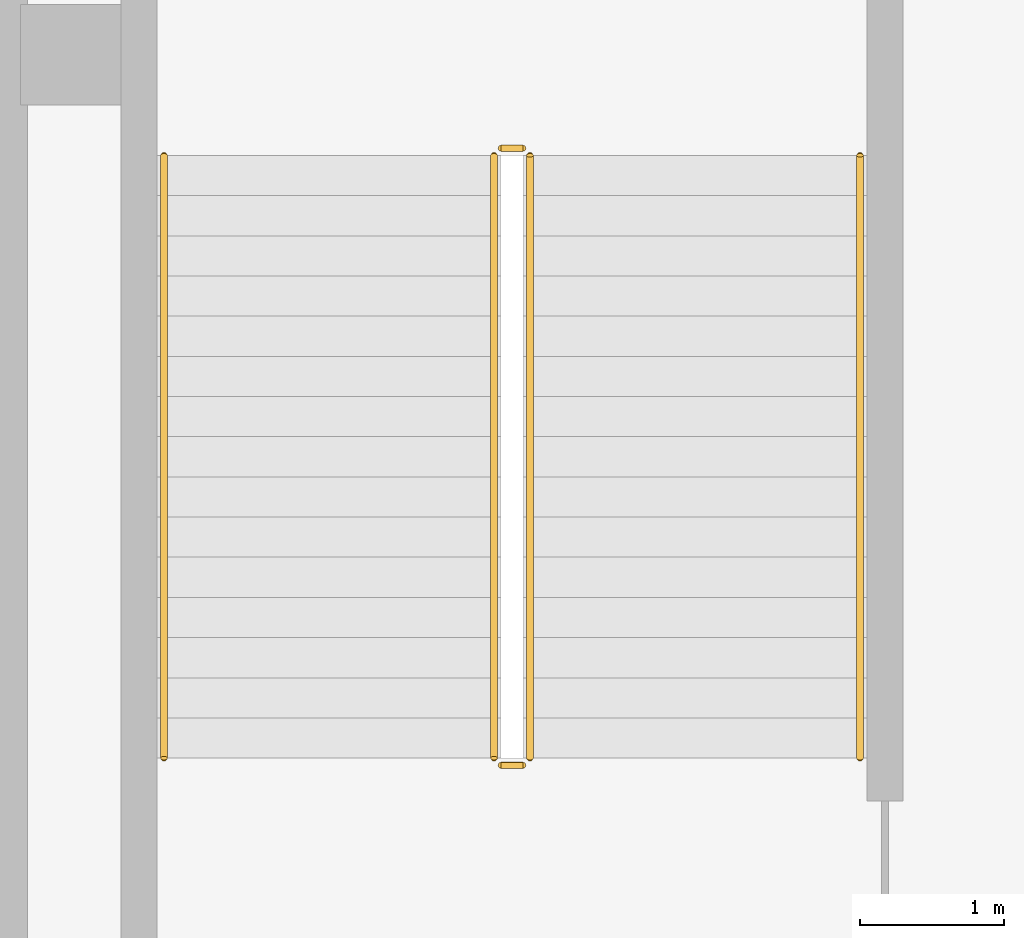
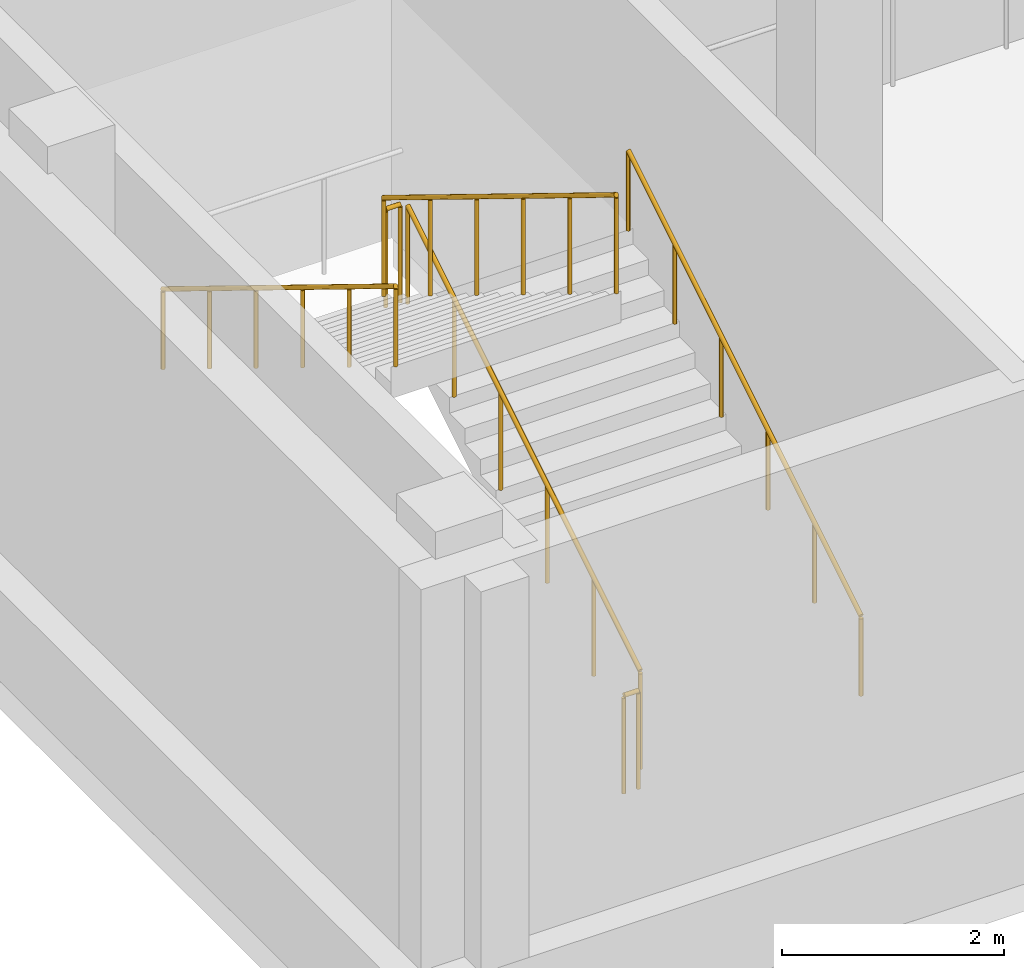
# One storey, part 30 of 35: 6 railings.
"""IFC4 building model written with IfcOpenShell, lengths in metres."""

from ifc_helpers import new_model, si_unit, direction, frame, origin, origin_2d, place, context, subcontext, project, spatial, circle, extrude, material, type_object, element, save


model = new_model("IFC4")

# Units and contexts
model_context = context("Model", 3, precision=1e-05, world=origin(), true_north=direction((0.0, 1.0)))
body_context = subcontext(model_context, "Body", "Model", "MODEL_VIEW")
ifc_project = project(units=[si_unit("LENGTHUNIT", "METRE"), si_unit("AREAUNIT", "SQUARE_METRE"), si_unit("VOLUMEUNIT", "CUBIC_METRE"), si_unit("PLANEANGLEUNIT", "RADIAN"), si_unit("MASSUNIT", "GRAM", prefix="KILO")], contexts=[model_context])

# Site, building, storey
site_placement = place(None, origin())
site = spatial("IfcSite", under=ifc_project, at=site_placement, CompositionType="ELEMENT")
building_placement = place(site_placement, origin())
building = spatial("IfcBuilding", under=site, at=building_placement, Name="Tamorin Gate", CompositionType="ELEMENT")
storey_placement = place(building_placement, frame((0.0, 0.0, 8.0)))
storey = spatial("IfcBuildingStorey", under=building, at=storey_placement, Name="L01", CompositionType="ELEMENT", Elevation=8.0)

# Railings
ifc_material = material(Name="Steel, galvanised", Category="steel")
railing_type_1 = type_object("IfcRailingType", Name="Steel guard 1100 museum", PredefinedType="GUARDRAIL", material=ifc_material)
railing_1_placement = place(storey_placement, frame((148.89990234375, 57.800048828125, 0.171875)))
element("IfcRailing", 1, at=railing_1_placement, inside=storey, type_object=railing_type_1, Name="L01 PS8 stair guard 1", PredefinedType="GUARDRAIL", context=body_context, shape_type="SweptSolid", body=[
    extrude(circle(Radius=0.02392578125, at=origin_2d()), frame((0.0, 0.0, 1.076171875), z_axis=(0.0, 0.852242915053, 0.523146264196), x_axis=(-1.0, 0.0, 0.0)), (0.0, 0.0, 1.0), 4.92822265625),
    extrude(circle(Radius=0.02099609375, at=origin_2d()), origin(), (0.0, 0.0, 1.0), 1.052001953125),
    extrude(circle(Radius=0.02099609375, at=origin_2d()), frame((0.0, 0.840087890625, 0.515625)), (0.0, 0.0, 1.0), 1.052001953125),
    extrude(circle(Radius=0.02099609375, at=origin_2d()), frame((0.0, 1.679931640625, 1.03125)), (0.0, 0.0, 1.0), 1.052001953125),
    extrude(circle(Radius=0.02099609375, at=origin_2d()), frame((0.0, 2.52001953125, 1.546875)), (0.0, 0.0, 1.0), 1.052001953125),
    extrude(circle(Radius=0.02099609375, at=origin_2d()), frame((0.0, 3.35986328125, 2.0625)), (0.0, 0.0, 1.0), 1.052001953125),
    extrude(circle(Radius=0.02099609375, at=origin_2d()), frame((0.0, 4.199951171875, 2.578125)), (0.0, 0.0, 1.0), 1.052001953125),
])
railing_2_placement = place(storey_placement, frame((148.85009765625, 62.050048828125, 2.75)))
element("IfcRailing", 2, at=railing_2_placement, inside=storey, type_object=railing_type_1, Name="L01 PS8 stair guard 2", PredefinedType="GUARDRAIL", context=body_context, shape_type="SweptSolid", body=[
    extrude(circle(Radius=0.02392578125, at=origin_2d()), frame((0.0, 0.0, 1.076171875), z_axis=(-1.0, 0.0, 0.0), x_axis=(0.0, -1.0, 0.0)), (0.0, 0.0, 1.0), 0.150146484375),
    extrude(circle(Radius=0.02099609375, at=origin_2d()), origin(), (0.0, 0.0, 1.0), 1.052001953125),
    extrude(circle(Radius=0.02099609375, at=origin_2d()), frame((-0.150146484375, 0.0, 0.0)), (0.0, 0.0, 1.0), 1.052001953125),
])
railing_3_placement = place(storey_placement, frame((148.64990234375, 62.0, 2.921875)))
element("IfcRailing", 3, at=railing_3_placement, inside=storey, type_object=railing_type_1, Name="L01 PS8 stair guard 3", PredefinedType="GUARDRAIL", context=body_context, shape_type="SweptSolid", body=[
    extrude(circle(Radius=0.02392578125, at=origin_2d()), frame((0.0, 0.0, 1.076171875), z_axis=(0.0, -0.852242915053, 0.523146264196), x_axis=(1.0, 0.0, 0.0)), (0.0, 0.0, 1.0), 4.92822265625),
    extrude(circle(Radius=0.02099609375, at=origin_2d()), origin(), (0.0, 0.0, 1.0), 1.052001953125),
    extrude(circle(Radius=0.02099609375, at=origin_2d()), frame((0.0, -0.840087890625, 0.515625)), (0.0, 0.0, 1.0), 1.052001953125),
    extrude(circle(Radius=0.02099609375, at=origin_2d()), frame((0.0, -1.679931640625, 1.03125)), (0.0, 0.0, 1.0), 1.052001953125),
    extrude(circle(Radius=0.02099609375, at=origin_2d()), frame((0.0, -2.52001953125, 1.546875)), (0.0, 0.0, 1.0), 1.052001953125),
    extrude(circle(Radius=0.02099609375, at=origin_2d()), frame((0.0, -3.35986328125, 2.0625)), (0.0, 0.0, 1.0), 1.052001953125),
    extrude(circle(Radius=0.02099609375, at=origin_2d()), frame((0.0, -4.199951171875, 2.578125)), (0.0, 0.0, 1.0), 1.052001953125),
])
railing_4_placement = place(storey_placement, frame((148.85009765625, 57.75, 0.0)))
element("IfcRailing", 4, at=railing_4_placement, inside=storey, type_object=railing_type_1, Name="L01 PS8 stair guard 4", PredefinedType="GUARDRAIL", context=body_context, shape_type="SweptSolid", body=[
    extrude(circle(Radius=0.02392578125, at=origin_2d()), frame((0.0, 0.0, 1.076171875), z_axis=(-1.0, 0.0, 0.0), x_axis=(0.0, -1.0, 0.0)), (0.0, 0.0, 1.0), 0.150146484375),
    extrude(circle(Radius=0.02099609375, at=origin_2d()), origin(), (0.0, 0.0, 1.0), 1.052001953125),
    extrude(circle(Radius=0.02099609375, at=origin_2d()), frame((-0.150146484375, 0.0, 0.0)), (0.0, 0.0, 1.0), 1.052001953125),
])
railing_type_2 = type_object("IfcRailingType", Name="Steel handrail 900 museum", PredefinedType="HANDRAIL", material=ifc_material)
railing_5_placement = place(storey_placement, frame((151.199951171875, 57.800048828125, 0.171875)))
element("IfcRailing", 5, at=railing_5_placement, inside=storey, type_object=railing_type_2, Name="L01 PS8 stair handrail 1", PredefinedType="HANDRAIL", context=body_context, shape_type="SweptSolid", body=[
    extrude(circle(Radius=0.02392578125, at=origin_2d()), frame((0.0, 0.0, 0.8759765625), z_axis=(0.0, 0.852242915053, 0.523146264196), x_axis=(-1.0, 0.0, 0.0)), (0.0, 0.0, 1.0), 4.92822265625),
    extrude(circle(Radius=0.02099609375, at=origin_2d()), origin(), (0.0, 0.0, 1.0), 0.851806640625),
    extrude(circle(Radius=0.02099609375, at=origin_2d()), frame((0.0, 0.840087890625, 0.515625)), (0.0, 0.0, 1.0), 0.851806640625),
    extrude(circle(Radius=0.02099609375, at=origin_2d()), frame((0.0, 1.679931640625, 1.03125)), (0.0, 0.0, 1.0), 0.851806640625),
    extrude(circle(Radius=0.02099609375, at=origin_2d()), frame((0.0, 2.52001953125, 1.546875)), (0.0, 0.0, 1.0), 0.851806640625),
    extrude(circle(Radius=0.02099609375, at=origin_2d()), frame((0.0, 3.35986328125, 2.0625)), (0.0, 0.0, 1.0), 0.851806640625),
    extrude(circle(Radius=0.02099609375, at=origin_2d()), frame((0.0, 4.199951171875, 2.578125)), (0.0, 0.0, 1.0), 0.851806640625),
])
railing_6_placement = place(storey_placement, frame((146.35009765625, 62.0, 2.921875)))
element("IfcRailing", 6, at=railing_6_placement, inside=storey, type_object=railing_type_2, Name="L01 PS8 stair handrail 2", PredefinedType="HANDRAIL", context=body_context, shape_type="SweptSolid", body=[
    extrude(circle(Radius=0.02392578125, at=origin_2d()), frame((0.0, 0.0, 0.8759765625), z_axis=(0.0, -0.852242915053, 0.523146264196), x_axis=(1.0, 0.0, 0.0)), (0.0, 0.0, 1.0), 4.92822265625),
    extrude(circle(Radius=0.02099609375, at=origin_2d()), origin(), (0.0, 0.0, 1.0), 0.851806640625),
    extrude(circle(Radius=0.02099609375, at=origin_2d()), frame((0.0, -0.840087890625, 0.515625)), (0.0, 0.0, 1.0), 0.851806640625),
    extrude(circle(Radius=0.02099609375, at=origin_2d()), frame((0.0, -1.679931640625, 1.03125)), (0.0, 0.0, 1.0), 0.851806640625),
    extrude(circle(Radius=0.02099609375, at=origin_2d()), frame((0.0, -2.52001953125, 1.546875)), (0.0, 0.0, 1.0), 0.851806640625),
    extrude(circle(Radius=0.02099609375, at=origin_2d()), frame((0.0, -3.35986328125, 2.0625)), (0.0, 0.0, 1.0), 0.851806640625),
    extrude(circle(Radius=0.02099609375, at=origin_2d()), frame((0.0, -4.199951171875, 2.578125)), (0.0, 0.0, 1.0), 0.851806640625),
])

save(model, "model.ifc")
